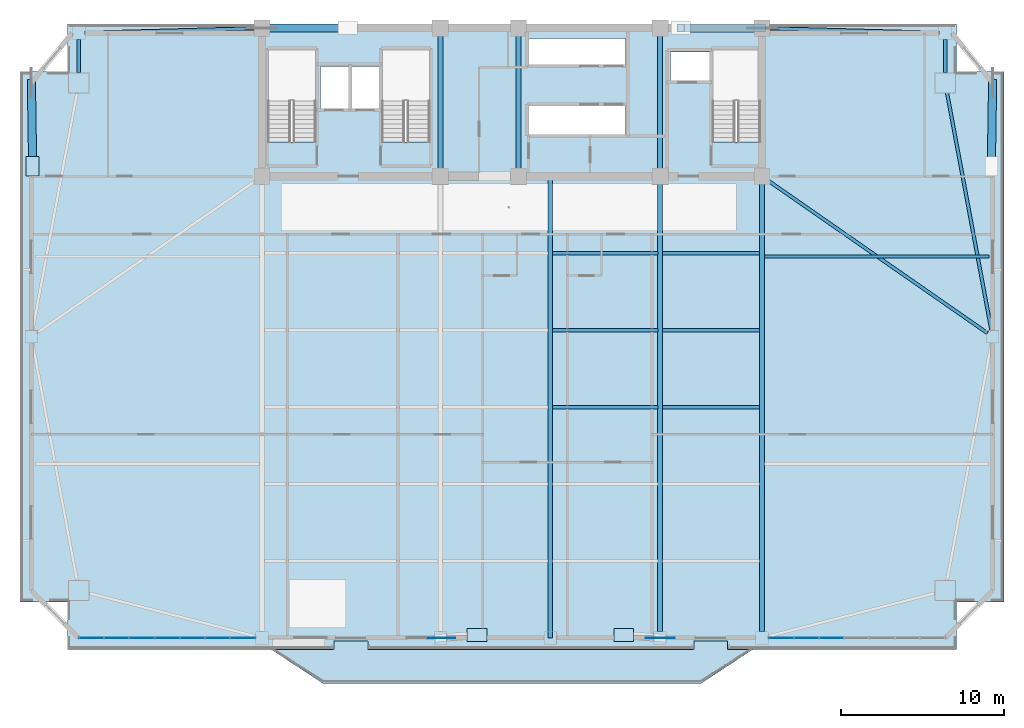
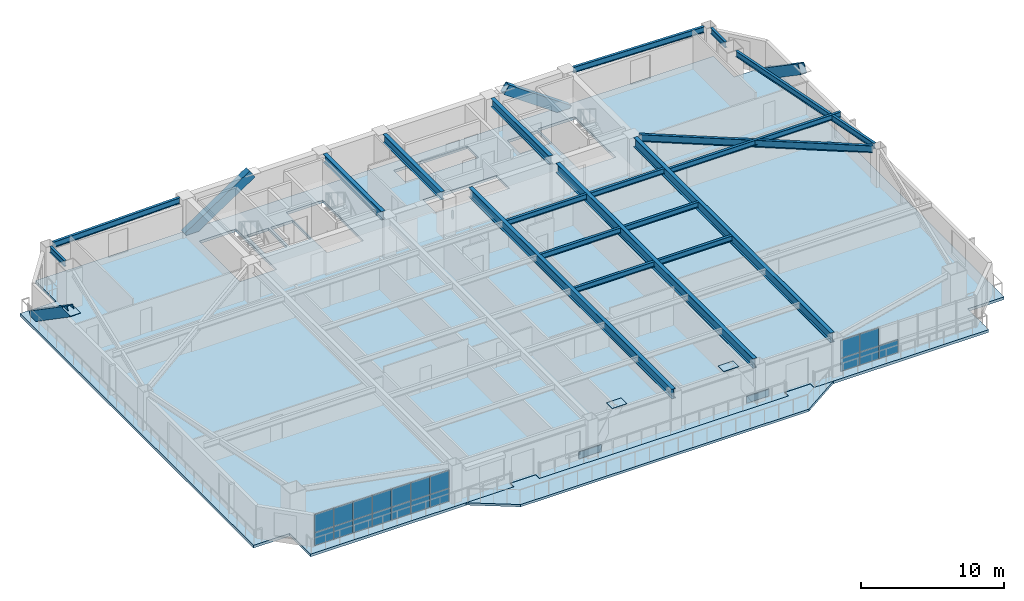
# One storey, part 6 of 16: 24 plates, 19 beams, 4 members, 2 slabs, 2 elements without a shape of their own.
"""IFC4 building model written with IfcOpenShell, lengths in metres."""

from ifc_helpers import new_model, si_unit, direction, frame, origin, origin_2d, place, context, subcontext, project, spatial, polyline, rectangle, hollow_rectangle, i_section, outline, extrude, source, transform, mapped, material, layer, layer_set, material_profile, profile_set, type_object, element, aggregate, save


model = new_model("IFC4")

# Units and contexts
model_context = context("Model", 3, precision=1e-05, world=origin(), true_north=direction((0.0, 1.0)))
body_context = subcontext(model_context, "Body", "Model", "MODEL_VIEW")
ifc_project = project(units=[si_unit("LENGTHUNIT", "METRE"), si_unit("AREAUNIT", "SQUARE_METRE"), si_unit("VOLUMEUNIT", "CUBIC_METRE"), si_unit("PLANEANGLEUNIT", "RADIAN"), si_unit("MASSUNIT", "GRAM", prefix="KILO")], contexts=[model_context])

# Site, building, storey
site_placement = place(None, origin())
site = spatial("IfcSite", under=ifc_project, at=site_placement, CompositionType="ELEMENT")
building_placement = place(site_placement, origin())
building = spatial("IfcBuilding", under=site, at=building_placement, Name="Giltprow Tower", CompositionType="ELEMENT")
storey_placement = place(building_placement, frame((0.0, 0.0, 159.699951171875)))
storey = spatial("IfcBuildingStorey", under=building, at=storey_placement, Name="L39", CompositionType="ELEMENT", Elevation=159.699951171875)

# Beams
ifc_material_1 = material(Name="Structural steel Q355B", Category="steel")
ifc_material_profile_1 = material_profile(ifc_material_1, i_section(OverallWidth=0.199951171875, OverallDepth=0.449951171875, WebThickness=0.009033203125, FlangeThickness=0.013916015625, at=origin_2d()), Name="HN 450x200x9x14")
ifc_profile_set_1 = profile_set([ifc_material_profile_1], Name="Structural steel Q355B")
beam_type_1 = type_object("IfcBeamType", Name="BM-JOIST-HN450", PredefinedType="JOIST", material=ifc_profile_set_1)
shared_shape_1 = source(origin(), body_context, "Body", "SweptSolid", [
    extrude(i_section(OverallWidth=0.199951171875, OverallDepth=0.449951171875, WebThickness=0.009033203125, FlangeThickness=0.013916015625, at=origin_2d()), origin(), (0.0, 0.0, 1.0), 6.4599609375),
])
for number, where, z_axis, x_axis, name in (
    (1, (37.695068359375, 23.27392578125, 3.045166015625), (1.0, 0.0, 0.0), (0.0, 1.0, 0.0), "L39 Composite Floor Joist 3-3"),
    (2, (37.695068359375, 27.9990234375, 3.045166015625), (1.0, 0.0, 0.0), (0.0, 1.0, 0.0), "L39 Composite Floor Joist 4-3"),
    (3, (37.695068359375, 32.72509765625, 3.045166015625), (1.0, 0.0, 0.0), (0.0, 1.0, 0.0), "L39 Composite Floor Joist 5-3"),
):
    element("IfcBeam", number, at=place(storey_placement, frame(where, z_axis=z_axis, x_axis=x_axis)), inside=storey, type_object=beam_type_1, Name=name, PredefinedType="JOIST", context=body_context, shape_type="MappedRepresentation", body=[
        mapped(shared_shape_1, transform((0.0, 0.0, 0.0), x_axis=(1.0, 0.0, 0.0), y_axis=(0.0, 1.0, 0.0), z_axis=(0.0, 0.0, 1.0), scale=1.0)),
    ])
shared_shape_2 = source(origin(), body_context, "Body", "SweptSolid", [
    extrude(i_section(OverallWidth=0.199951171875, OverallDepth=0.449951171875, WebThickness=0.009033203125, FlangeThickness=0.013916015625, at=origin_2d()), origin(), (0.0, 0.0, 1.0), 5.9599609375),
])
for number, where, z_axis, x_axis, name in (
    (4, (44.445068359375, 23.27392578125, 3.045166015625), (1.0, 0.0, 0.0), (0.0, 1.0, 0.0), "L39 Composite Floor Joist 3-4"),
    (5, (44.445068359375, 27.9990234375, 3.045166015625), (1.0, 0.0, 0.0), (0.0, 1.0, 0.0), "L39 Composite Floor Joist 4-4"),
    (6, (44.445068359375, 32.72509765625, 3.045166015625), (1.0, 0.0, 0.0), (0.0, 1.0, 0.0), "L39 Composite Floor Joist 5-4"),
):
    element("IfcBeam", number, at=place(storey_placement, frame(where, z_axis=z_axis, x_axis=x_axis)), inside=storey, type_object=beam_type_1, Name=name, PredefinedType="JOIST", context=body_context, shape_type="MappedRepresentation", body=[
        mapped(shared_shape_2, transform((0.0, 0.0, 0.0), x_axis=(1.0, 0.0, 0.0), y_axis=(0.0, 1.0, 0.0), z_axis=(0.0, 0.0, 1.0), scale=1.0)),
    ])
ifc_material_profile_2 = material_profile(ifc_material_1, i_section(OverallWidth=0.300048828125, OverallDepth=0.699951171875, WebThickness=0.012939453125, FlangeThickness=0.02392578125, at=origin_2d()), Name="HN 700x300x13x24")
ifc_profile_set_2 = profile_set([ifc_material_profile_2], Name="Structural steel Q355B")
beam_type_2 = type_object("IfcBeamType", Name="BM-GIRD-HN700", PredefinedType="BEAM", material=ifc_profile_set_2)
shared_shape_3 = source(origin(), body_context, "Body", "SweptSolid", [
    extrude(i_section(OverallWidth=0.300048828125, OverallDepth=0.699951171875, WebThickness=0.012939453125, FlangeThickness=0.02392578125, at=origin_2d()), origin(), (0.0, 0.0, 1.0), 8.1298828125),
])
for number, where, z_axis, x_axis, name in (
    (7, (30.800048828125, 37.93505859375, 2.920166015625), (0.0, 1.0, 0.0), (-1.0, 0.0, 0.0), "L39 Core Tie Girder M1"),
    (8, (35.60009765625, 37.93505859375, 2.920166015625), (0.0, 1.0, 0.0), (-1.0, 0.0, 0.0), "L39 Core Tie Girder M2"),
    (9, (44.300048828125, 37.93505859375, 2.920166015625), (0.0, 1.0, 0.0), (-1.0, 0.0, 0.0), "L39 Core Tie Girder M3"),
):
    element("IfcBeam", number, at=place(storey_placement, frame(where, z_axis=z_axis, x_axis=x_axis)), inside=storey, type_object=beam_type_2, Name=name, PredefinedType="BEAM", context=body_context, shape_type="MappedRepresentation", body=[
        mapped(shared_shape_3, transform((0.0, 0.0, 0.0), x_axis=(1.0, 0.0, 0.0), y_axis=(0.0, 1.0, 0.0), z_axis=(0.0, 0.0, 1.0), scale=1.0)),
    ])
ifc_material_profile_3 = material_profile(ifc_material_1, i_section(OverallWidth=0.199951171875, OverallDepth=0.5, WebThickness=0.010009765625, FlangeThickness=0.01611328125, at=origin_2d()), Name="HN 500x200x10x16")
ifc_profile_set_3 = profile_set([ifc_material_profile_3], Name="Structural steel Q355B")
beam_type_3 = type_object("IfcBeamType", Name="BM-SPAN-HN500", PredefinedType="SPANDREL", material=ifc_profile_set_3)
shared_shape_4 = source(origin(), body_context, "Body", "SweptSolid", [
    extrude(i_section(OverallWidth=0.199951171875, OverallDepth=0.5, WebThickness=0.010009765625, FlangeThickness=0.01611328125, at=origin_2d()), origin(), (0.0, 0.0, 1.0), 14.83837890625),
])
beam_1_placement = place(storey_placement, frame((64.64501953125, 27.97705078125, 3.02001953125), z_axis=(-0.183652712761, 0.982991190752, 0.0), x_axis=(-0.982991190752, -0.183652712761, 0.0)))
element("IfcBeam", 10, at=beam_1_placement, inside=storey, type_object=beam_type_3, Name="L39 Perimeter Spandrel Beam E_MID-MC_NE", PredefinedType="SPANDREL", context=body_context, shape_type="MappedRepresentation", body=[
    mapped(shared_shape_4, transform((0.0, 0.0, 0.0), x_axis=(1.0, 0.0, 0.0), y_axis=(0.0, 1.0, 0.0), z_axis=(0.0, 0.0, 1.0), scale=1.0)),
])
shared_shape_5 = source(origin(), body_context, "Body", "SweptSolid", [
    extrude(i_section(OverallWidth=0.199951171875, OverallDepth=0.5, WebThickness=0.010009765625, FlangeThickness=0.01611328125, at=origin_2d()), origin(), (0.0, 0.0, 1.0), 2.04296875),
])
for number, where, z_axis, x_axis, name in (
    (11, (61.802978515625, 43.822021484375, 3.02001953125), (0.0, 1.0, 0.0), (-1.0, 0.0, 0.0), "L39 Perimeter Spandrel Beam MC_NE-N_E"),
    (12, (8.596923828125, 45.864990234375, 3.02001953125), (0.0, -1.0, 0.0), (1.0, 0.0, 0.0), "L39 Perimeter Spandrel Beam N_W-MC_NW"),
):
    element("IfcBeam", number, at=place(storey_placement, frame(where, z_axis=z_axis, x_axis=x_axis)), inside=storey, type_object=beam_type_3, Name=name, PredefinedType="SPANDREL", context=body_context, shape_type="MappedRepresentation", body=[
        mapped(shared_shape_5, transform((0.0, 0.0, 0.0), x_axis=(1.0, 0.0, 0.0), y_axis=(0.0, 1.0, 0.0), z_axis=(0.0, 0.0, 1.0), scale=1.0)),
    ])
shared_shape_6 = source(origin(), body_context, "Body", "SweptSolid", [
    extrude(i_section(OverallWidth=0.199951171875, OverallDepth=0.5, WebThickness=0.010009765625, FlangeThickness=0.01611328125, at=origin_2d()), origin(), (0.0, 0.0, 1.0), 10.38671875),
])
for number, where, z_axis, x_axis, name in (
    (13, (8.98193359375, 46.260009765625, 3.02001953125), (0.999644074198, 0.02667817311, 0.0), (-0.02667817311, 0.999644074198, 0.0), "L39 North Wing Spandrel W"),
    (14, (51.034912109375, 46.537109375, 3.02001953125), (0.999644074198, -0.02667817311, 0.0), (0.02667817311, 0.999644074198, 0.0), "L39 North Wing Spandrel E"),
):
    element("IfcBeam", number, at=place(storey_placement, frame(where, z_axis=z_axis, x_axis=x_axis)), inside=storey, type_object=beam_type_3, Name=name, PredefinedType="SPANDREL", context=body_context, shape_type="MappedRepresentation", body=[
        mapped(shared_shape_6, transform((0.0, 0.0, 0.0), x_axis=(1.0, 0.0, 0.0), y_axis=(0.0, 1.0, 0.0), z_axis=(0.0, 0.0, 1.0), scale=1.0)),
    ])
ifc_material_profile_4 = material_profile(ifc_material_1, i_section(OverallWidth=0.300048828125, OverallDepth=0.800048828125, WebThickness=0.013916015625, FlangeThickness=0.02587890625, at=origin_2d()), Name="HN 800x300x14x26")
ifc_profile_set_4 = profile_set([ifc_material_profile_4], Name="Structural steel Q355B")
beam_type_4 = type_object("IfcBeamType", Name="BM-GIRD-HN800", PredefinedType="BEAM", material=ifc_profile_set_4)
shared_shape_7 = source(origin(), body_context, "Body", "SweptSolid", [
    extrude(i_section(OverallWidth=0.300048828125, OverallDepth=0.800048828125, WebThickness=0.013916015625, FlangeThickness=0.02587890625, at=origin_2d()), origin(), (0.0, 0.0, 1.0), 27.482177734375),
])
for number, where, z_axis, x_axis, name in (
    (15, (44.300048828125, 9.48291015625, 2.8701171875), (0.0, 1.0, 0.0), (-1.0, 0.0, 0.0), "L39 Primary Lease Girder S3"),
    (16, (50.550048828125, 9.48291015625, 2.8701171875), (0.0, 1.0, 0.0), (-1.0, 0.0, 0.0), "L39 Primary Lease Girder S4"),
):
    element("IfcBeam", number, at=place(storey_placement, frame(where, z_axis=z_axis, x_axis=x_axis)), inside=storey, type_object=beam_type_4, Name=name, PredefinedType="BEAM", context=body_context, shape_type="MappedRepresentation", body=[
        mapped(shared_shape_7, transform((0.0, 0.0, 0.0), x_axis=(1.0, 0.0, 0.0), y_axis=(0.0, 1.0, 0.0), z_axis=(0.0, 0.0, 1.0), scale=1.0)),
    ])
shared_shape_8 = source(origin(), body_context, "Body", "SweptSolid", [
    extrude(i_section(OverallWidth=0.300048828125, OverallDepth=0.800048828125, WebThickness=0.013916015625, FlangeThickness=0.02587890625, at=origin_2d()), origin(), (0.0, 0.0, 1.0), 28.35205078125),
])
beam_2_placement = place(storey_placement, frame((37.550048828125, 9.097900390625, 2.8701171875), z_axis=(0.0, 1.0, 0.0), x_axis=(-1.0, 0.0, 0.0)))
element("IfcBeam", 17, at=beam_2_placement, inside=storey, type_object=beam_type_4, Name="L39 Central Lease Girder SMID", PredefinedType="BEAM", context=body_context, shape_type="MappedRepresentation", body=[
    mapped(shared_shape_8, transform((0.0, 0.0, 0.0), x_axis=(1.0, 0.0, 0.0), y_axis=(0.0, 1.0, 0.0), z_axis=(0.0, 0.0, 1.0), scale=1.0)),
])
ifc_material_profile_5 = material_profile(ifc_material_1, i_section(OverallWidth=0.199951171875, OverallDepth=0.60009765625, WebThickness=0.010986328125, FlangeThickness=0.01708984375, at=origin_2d()), Name="HN 600x200x11x17")
ifc_profile_set_5 = profile_set([ifc_material_profile_5], Name="Structural steel Q355B")
beam_type_5 = type_object("IfcBeamType", Name="BM-GIRD-HN600", PredefinedType="BEAM", material=ifc_profile_set_5)
shared_shape_9 = source(origin(), body_context, "Body", "SweptSolid", [
    extrude(i_section(OverallWidth=0.199951171875, OverallDepth=0.60009765625, WebThickness=0.010986328125, FlangeThickness=0.01708984375, at=origin_2d()), origin(), (0.0, 0.0, 1.0), 16.384521484375),
])
beam_3_placement = place(storey_placement, frame((64.39990234375, 27.819091796875, 2.969970703125), z_axis=(-0.821015129257, 0.570906435005, 0.0), x_axis=(-0.570906435005, -0.821015129257, 0.0)))
element("IfcBeam", 18, at=beam_3_placement, inside=storey, type_object=beam_type_5, Name="L39 East Wing Primary Girder", PredefinedType="BEAM", context=body_context, shape_type="MappedRepresentation", body=[
    mapped(shared_shape_9, transform((0.0, 0.0, 0.0), x_axis=(1.0, 0.0, 0.0), y_axis=(0.0, 1.0, 0.0), z_axis=(0.0, 0.0, 1.0), scale=1.0)),
])
shared_shape_10 = source(origin(), body_context, "Body", "SweptSolid", [
    extrude(i_section(OverallWidth=0.199951171875, OverallDepth=0.449951171875, WebThickness=0.009033203125, FlangeThickness=0.013916015625, at=origin_2d()), origin(), (0.0, 0.0, 1.0), 13.801025390625),
])
beam_4_placement = place(storey_placement, frame((50.695068359375, 32.52490234375, 3.045166015625), z_axis=(1.0, 0.0, 0.0), x_axis=(0.0, 1.0, 0.0)))
element("IfcBeam", 19, at=beam_4_placement, inside=storey, type_object=beam_type_1, Name="L39 East Wing Floor Joist 2", PredefinedType="JOIST", context=body_context, shape_type="MappedRepresentation", body=[
    mapped(shared_shape_10, transform((0.0, 0.0, 0.0), x_axis=(1.0, 0.0, 0.0), y_axis=(0.0, 1.0, 0.0), z_axis=(0.0, 0.0, 1.0), scale=1.0)),
])

# Members
ifc_material_2 = material(Name="Structural steel Q420GJC", Category="steel")
ifc_material_profile_6 = material_profile(ifc_material_2, hollow_rectangle(XDim=0.5, YDim=0.800048828125, WallThickness=0.035888671875, at=origin_2d()), Name="RHS 800x500x36")
ifc_profile_set_6 = profile_set([ifc_material_profile_6], Name="Structural steel Q420GJC")
member_type = type_object("IfcMemberType", Name="MBR-MEGA-RHS800", PredefinedType="BRACE", material=ifc_profile_set_6)
shared_shape_11 = source(origin(), body_context, "Body", "SweptSolid", [
    extrude(hollow_rectangle(XDim=0.5, YDim=0.800048828125, WallThickness=0.035888671875, at=origin_2d()), origin(), (0.0, 0.0, 1.0), 6.309814453125),
])
member_1_placement = place(storey_placement, frame((19.85009765625, 46.550048828125, -0.139892578125), z_axis=(0.832050294338, 0.0, 0.554700196225), x_axis=(0.0, 1.0, 0.0)))
element("IfcMember", 20, at=member_1_placement, inside=storey, type_object=member_type, Name="L39 Chevron Mega-Brace N-L", PredefinedType="BRACE", context=body_context, shape_type="MappedRepresentation", body=[
    mapped(shared_shape_11, transform((0.0, 0.0, 0.0), x_axis=(1.0, 0.0, 0.0), y_axis=(0.0, 1.0, 0.0), z_axis=(0.0, 0.0, 1.0), scale=1.0)),
])
shared_shape_12 = source(origin(), body_context, "Body", "SweptSolid", [
    extrude(hollow_rectangle(XDim=0.5, YDim=0.800048828125, WallThickness=0.035888671875, at=origin_2d()), origin(), (0.0, 0.0, 1.0), 6.089599609375),
])
member_2_placement = place(storey_placement, frame((50.550048828125, 46.550048828125, -0.139892578125), z_axis=(-0.818321147337, 0.0, 0.574761254628), x_axis=(0.0, -1.0, 0.0)))
element("IfcMember", 21, at=member_2_placement, inside=storey, type_object=member_type, Name="L39 Chevron Mega-Brace N-R", PredefinedType="BRACE", context=body_context, shape_type="MappedRepresentation", body=[
    mapped(shared_shape_12, transform((0.0, 0.0, 0.0), x_axis=(1.0, 0.0, 0.0), y_axis=(0.0, 1.0, 0.0), z_axis=(0.0, 0.0, 1.0), scale=1.0)),
])
shared_shape_13 = source(origin(), body_context, "Body", "SweptSolid", [
    extrude(hollow_rectangle(XDim=0.5, YDim=0.800048828125, WallThickness=0.035888671875, at=origin_2d()), origin(), (0.0, 0.0, 1.0), 6.1923828125),
])
for number, where, z_axis, x_axis, name in (
    (22, (5.68408203125, 43.18701171875, 0.0), (0.012576682732, -0.824856915749, 0.565201641534), (0.999883783107, 0.015245336335, 0.0), "L39 Chevron Mega-Brace W-R"),
    (23, (64.716064453125, 43.18701171875, 0.0), (-0.012616101805, -0.824856506111, 0.565201360845), (0.99988305346, -0.015293116199, 0.0), "L39 Chevron Mega-Brace E-R"),
):
    element("IfcMember", number, at=place(storey_placement, frame(where, z_axis=z_axis, x_axis=x_axis)), inside=storey, type_object=member_type, Name=name, PredefinedType="BRACE", context=body_context, shape_type="MappedRepresentation", body=[
        mapped(shared_shape_13, transform((0.0, 0.0, 0.0), x_axis=(1.0, 0.0, 0.0), y_axis=(0.0, 1.0, 0.0), z_axis=(0.0, 0.0, 1.0), scale=1.0)),
    ])

# Slabs
ifc_material_3 = material(Name="Concrete C40", Category="concrete")
ifc_layer_1 = layer(ifc_material_3, 0.199951171875, Name="Concrete C40")
ifc_layer_set_1 = layer_set([ifc_layer_1], Name="Concrete C40")
slab_type_1 = type_object("IfcSlabType", Name="SLB-BALC-BRONZE-200", PredefinedType="FLOOR", material=ifc_layer_set_1)
slab_1_placement = place(storey_placement, frame((0.0, 0.0, -0.199951171875)))
element("IfcSlab", 24, at=slab_1_placement, inside=storey, type_object=slab_type_1, Name="L39 Bronze Prow Waterfront Balcony Slab", PredefinedType="FLOOR", context=body_context, shape_type="SweptSolid", body=[
    extrude(outline(polyline([(50.0, 8.39794921875), (46.800048828125, 6.298095703125), (23.60009765625, 6.298095703125), (20.39990234375, 8.39794921875), (24.280029296875, 8.39794921875), (24.280029296875, 8.89794921875), (26.320068359375, 8.89794921875), (26.320068359375, 8.39794921875), (46.3798828125, 8.39794921875), (46.3798828125, 8.89794921875), (48.419921875, 8.89794921875), (48.419921875, 8.39794921875), (50.0, 8.39794921875)])), origin(), (0.0, 0.0, 1.0), 0.199951171875),
])
ifc_layer_2 = layer(ifc_material_3, 0.22998046875, Name="Concrete C40")
ifc_layer_set_2 = layer_set([ifc_layer_2], Name="Concrete C40")
slab_type_2 = type_object("IfcSlabType", Name="SLB-HTL-230", PredefinedType="FLOOR", material=ifc_layer_set_2)
slab_2_placement = place(storey_placement, frame((0.0, 0.0, -0.22998046875)))
element("IfcSlab", 25, at=slab_2_placement, inside=storey, type_object=slab_type_2, Name="L39 Structural Composite Floor Slab", PredefinedType="FLOOR", context=body_context, shape_type="SweptSolid", body=[
    extrude(outline(polyline([(7.89697265625, 8.39794921875), (7.89697265625, 11.31103515625), (4.98388671875, 11.31103515625), (4.98388671875, 43.886962890625), (7.89697265625, 43.886962890625), (7.89697265625, 46.800048828125), (62.5029296875, 46.800048828125), (62.5029296875, 43.886962890625), (65.416015625, 43.886962890625), (65.416015625, 11.31103515625), (62.5029296875, 11.31103515625), (62.5029296875, 8.39794921875), (48.449951171875, 8.39794921875), (48.449951171875, 8.91796875), (46.35009765625, 8.91796875), (46.35009765625, 8.39794921875), (26.35009765625, 8.39794921875), (26.35009765625, 8.91796875), (24.25, 8.91796875), (24.25, 8.39794921875), (7.89697265625, 8.39794921875)]), holes=[polyline([(42.169921875, 41.800048828125), (36.239990234375, 41.800048828125), (36.239990234375, 40.0), (42.169921875, 40.0), (42.169921875, 41.800048828125)]), polyline([(23.159912109375, 39.570068359375), (23.159912109375, 45.25), (20.199951171875, 45.25), (20.199951171875, 39.570068359375), (23.159912109375, 39.570068359375)]), polyline([(30.159912109375, 39.570068359375), (30.159912109375, 45.25), (27.199951171875, 45.25), (27.199951171875, 39.570068359375), (30.159912109375, 39.570068359375)]), polyline([(50.4599609375, 45.25), (47.5, 45.25), (47.5, 39.570068359375), (50.4599609375, 39.570068359375), (50.4599609375, 45.25)]), polyline([(25.169921875, 44.199951171875), (23.449951171875, 44.199951171875), (23.449951171875, 41.60009765625), (25.169921875, 41.60009765625), (25.169921875, 44.199951171875)]), polyline([(27.10009765625, 44.199951171875), (25.35009765625, 44.199951171875), (25.35009765625, 41.60009765625), (27.10009765625, 41.60009765625), (27.10009765625, 44.199951171875)]), polyline([(47.3798828125, 43.300048828125), (47.3798828125, 45.10009765625), (44.919921875, 45.10009765625), (44.919921875, 43.300048828125), (47.3798828125, 43.300048828125)]), polyline([(42.169921875, 44.300048828125), (42.169921875, 45.919921875), (36.239990234375, 45.919921875), (36.239990234375, 44.300048828125), (42.169921875, 44.300048828125)])]), origin(), (0.0, 0.0, 1.0), 0.22998046875),
])

# Plates
plate_type_1 = type_object("IfcPlateType", Name="PLT-NODE-MBN1", PredefinedType="USERDEFINED", material=ifc_material_2)
shared_shape_14 = source(origin(), body_context, "Body", "SweptSolid", [
    extrude(rectangle(XDim=1.800048828125, YDim=0.050048828125, at=origin_2d()), origin(), (0.0, 0.0, 1.0), 1.14990234375),
])
for number, where, z_axis, x_axis, name in (
    (26, (30.800048828125, 9.097900390625, -0.574951171875), (0.0, 0.0, 1.0), (1.0, 0.0, 0.0), "Mega-Brace Node L39-S-LA"),
    (27, (44.300048828125, 9.097900390625, -0.574951171875), (0.0, 0.0, 1.0), (1.0, 0.0, 0.0), "Mega-Brace Node L39-S-RA"),
):
    element("IfcPlate", number, at=place(storey_placement, frame(where, z_axis=z_axis, x_axis=x_axis)), inside=storey, type_object=plate_type_1, Name=name, ObjectType="GUSSET", PredefinedType="USERDEFINED", context=body_context, shape_type="MappedRepresentation", body=[
        mapped(shared_shape_14, transform((0.0, 0.0, 0.0), x_axis=(1.0, 0.0, 0.0), y_axis=(0.0, 1.0, 0.0), z_axis=(0.0, 0.0, 1.0), scale=1.0)),
    ])
plate_type_2 = type_object("IfcPlateType", Name="PLT-CAP-SEAL", PredefinedType="USERDEFINED", material=ifc_material_2)
shared_shape_15 = source(origin(), body_context, "Body", "SweptSolid", [
    extrude(rectangle(XDim=1.199951171875, YDim=0.800048828125, at=origin_2d()), origin(), (0.0, 0.0, 1.0), 0.034912109375),
])
for number, where, z_axis, x_axis, name in (
    (28, (33.050048828125, 9.27392578125, 3.482421875), (0.0, 0.0, 1.0), (1.0, 0.0, 0.0), "Mega-Brace Node L39-S-LB"),
    (29, (42.050048828125, 9.27392578125, 3.482421875), (0.0, 0.0, 1.0), (1.0, 0.0, 0.0), "Mega-Brace Node L39-S-RB"),
    (30, (5.761962890625, 38.0791015625, 3.482421875), (0.0, 0.0, 1.0), (0.0, 1.0, 0.0), "Mega-Brace Node L39-W-RB"),
):
    element("IfcPlate", number, at=place(storey_placement, frame(where, z_axis=z_axis, x_axis=x_axis)), inside=storey, type_object=plate_type_2, Name=name, ObjectType="SPLICE", PredefinedType="USERDEFINED", context=body_context, shape_type="MappedRepresentation", body=[
        mapped(shared_shape_15, transform((0.0, 0.0, 0.0), x_axis=(1.0, 0.0, 0.0), y_axis=(0.0, 1.0, 0.0), z_axis=(0.0, 0.0, 1.0), scale=1.0)),
    ])

# Curtain wall, plates
ifc_material_4 = material(Name="Anodized bronze", Category="metal")
ifc_layer_3 = layer(ifc_material_4, 0.179931640625, Name="Anodized bronze")
ifc_layer_set_3 = layer_set([ifc_layer_3], Name="Anodized bronze")
curtain_wall_type = type_object("IfcCurtainWallType", Name="CW-HTL-BRONZE", PredefinedType="NOTDEFINED", material=ifc_layer_set_3)
curtain_wall_1_placement = place(storey_placement, origin())
curtain_wall_1 = element("IfcCurtainWall", 31, at=curtain_wall_1_placement, inside=storey, type_object=curtain_wall_type, Name="L39 South Recessed Curtain Wall 1", PredefinedType="NOTDEFINED")
ifc_material_5 = material(Name="Insulated glass", Category="glass")
plate_type_3 = type_object("IfcPlateType", Name="CW-PANEL-IGU-28", PredefinedType="CURTAIN_PANEL", material=ifc_material_5)
shared_shape_16 = source(origin(), body_context, "Body", "SweptSolid", [
    extrude(rectangle(XDim=1.52001953125, YDim=0.028076171875, at=origin_2d()), origin(), (0.0, 0.0, 1.0), 1.0869140625),
])
plate_1_placement = place(storey_placement, frame((9.3720703125, 9.097900390625, 0.0546875), z_axis=(0.0, 0.0, 1.0), x_axis=(1.0, 0.0, 0.0)))
plate_1 = element("IfcPlate", 32, at=plate_1_placement, type_object=plate_type_3, Name="L39 South Recessed Curtain Wall 1 Glazing Panel 1-1", PredefinedType="CURTAIN_PANEL", context=body_context, shape_type="MappedRepresentation", body=[
    mapped(shared_shape_16, transform((0.0, 0.0, 0.0), x_axis=(1.0, 0.0, 0.0), y_axis=(0.0, 1.0, 0.0), z_axis=(0.0, 0.0, 1.0), scale=1.0)),
])
plate_2_placement = place(storey_placement, frame((10.923095703125, 9.097900390625, 0.0546875), z_axis=(0.0, 0.0, 1.0), x_axis=(1.0, 0.0, 0.0)))
plate_2 = element("IfcPlate", 33, at=plate_2_placement, type_object=plate_type_3, Name="L39 South Recessed Curtain Wall 1 Glazing Panel 2-1", PredefinedType="CURTAIN_PANEL", context=body_context, shape_type="MappedRepresentation", body=[
    mapped(shared_shape_16, transform((0.0, 0.0, 0.0), x_axis=(1.0, 0.0, 0.0), y_axis=(0.0, 1.0, 0.0), z_axis=(0.0, 0.0, 1.0), scale=1.0)),
])
plate_3_placement = place(storey_placement, frame((12.472900390625, 9.097900390625, 0.0546875), z_axis=(0.0, 0.0, 1.0), x_axis=(1.0, 0.0, 0.0)))
plate_3 = element("IfcPlate", 34, at=plate_3_placement, type_object=plate_type_3, Name="L39 South Recessed Curtain Wall 1 Glazing Panel 3-1", PredefinedType="CURTAIN_PANEL", context=body_context, shape_type="MappedRepresentation", body=[
    mapped(shared_shape_16, transform((0.0, 0.0, 0.0), x_axis=(1.0, 0.0, 0.0), y_axis=(0.0, 1.0, 0.0), z_axis=(0.0, 0.0, 1.0), scale=1.0)),
])
plate_4_placement = place(storey_placement, frame((14.02294921875, 9.097900390625, 0.0546875), z_axis=(0.0, 0.0, 1.0), x_axis=(1.0, 0.0, 0.0)))
plate_4 = element("IfcPlate", 35, at=plate_4_placement, type_object=plate_type_3, Name="L39 South Recessed Curtain Wall 1 Glazing Panel 4-1", PredefinedType="CURTAIN_PANEL", context=body_context, shape_type="MappedRepresentation", body=[
    mapped(shared_shape_16, transform((0.0, 0.0, 0.0), x_axis=(1.0, 0.0, 0.0), y_axis=(0.0, 1.0, 0.0), z_axis=(0.0, 0.0, 1.0), scale=1.0)),
])
plate_5_placement = place(storey_placement, frame((15.573974609375, 9.097900390625, 0.0546875), z_axis=(0.0, 0.0, 1.0), x_axis=(1.0, 0.0, 0.0)))
plate_5 = element("IfcPlate", 36, at=plate_5_placement, type_object=plate_type_3, Name="L39 South Recessed Curtain Wall 1 Glazing Panel 5-1", PredefinedType="CURTAIN_PANEL", context=body_context, shape_type="MappedRepresentation", body=[
    mapped(shared_shape_16, transform((0.0, 0.0, 0.0), x_axis=(1.0, 0.0, 0.0), y_axis=(0.0, 1.0, 0.0), z_axis=(0.0, 0.0, 1.0), scale=1.0)),
])
plate_6_placement = place(storey_placement, frame((17.1240234375, 9.097900390625, 0.0546875), z_axis=(0.0, 0.0, 1.0), x_axis=(1.0, 0.0, 0.0)))
plate_6 = element("IfcPlate", 37, at=plate_6_placement, type_object=plate_type_3, Name="L39 South Recessed Curtain Wall 1 Glazing Panel 6-1", PredefinedType="CURTAIN_PANEL", context=body_context, shape_type="MappedRepresentation", body=[
    mapped(shared_shape_16, transform((0.0, 0.0, 0.0), x_axis=(1.0, 0.0, 0.0), y_axis=(0.0, 1.0, 0.0), z_axis=(0.0, 0.0, 1.0), scale=1.0)),
])
plate_7_placement = place(storey_placement, frame((18.675048828125, 9.097900390625, 0.0546875), z_axis=(0.0, 0.0, 1.0), x_axis=(1.0, 0.0, 0.0)))
plate_7 = element("IfcPlate", 38, at=plate_7_placement, type_object=plate_type_3, Name="L39 South Recessed Curtain Wall 1 Glazing Panel 7-1", PredefinedType="CURTAIN_PANEL", context=body_context, shape_type="MappedRepresentation", body=[
    mapped(shared_shape_16, transform((0.0, 0.0, 0.0), x_axis=(1.0, 0.0, 0.0), y_axis=(0.0, 1.0, 0.0), z_axis=(0.0, 0.0, 1.0), scale=1.0)),
])

curtain_wall_2_placement = place(storey_placement, origin())
curtain_wall_2 = element("IfcCurtainWall", 39, at=curtain_wall_2_placement, inside=storey, type_object=curtain_wall_type, Name="L39 South Recessed Curtain Wall 6", PredefinedType="NOTDEFINED")
plate_8_placement = place(storey_placement, frame((51.72509765625, 9.097900390625, 0.0546875), z_axis=(0.0, 0.0, 1.0), x_axis=(1.0, 0.0, 0.0)))
plate_8 = element("IfcPlate", 40, at=plate_8_placement, type_object=plate_type_3, Name="L39 South Recessed Curtain Wall 6 Glazing Panel 1-1", PredefinedType="CURTAIN_PANEL", context=body_context, shape_type="MappedRepresentation", body=[
    mapped(shared_shape_16, transform((0.0, 0.0, 0.0), x_axis=(1.0, 0.0, 0.0), y_axis=(0.0, 1.0, 0.0), z_axis=(0.0, 0.0, 1.0), scale=1.0)),
])
plate_9_placement = place(storey_placement, frame((53.27587890625, 9.097900390625, 0.0546875), z_axis=(0.0, 0.0, 1.0), x_axis=(1.0, 0.0, 0.0)))
plate_9 = element("IfcPlate", 41, at=plate_9_placement, type_object=plate_type_3, Name="L39 South Recessed Curtain Wall 6 Glazing Panel 2-1", PredefinedType="CURTAIN_PANEL", context=body_context, shape_type="MappedRepresentation", body=[
    mapped(shared_shape_16, transform((0.0, 0.0, 0.0), x_axis=(1.0, 0.0, 0.0), y_axis=(0.0, 1.0, 0.0), z_axis=(0.0, 0.0, 1.0), scale=1.0)),
])
plate_10_placement = place(storey_placement, frame((54.825927734375, 9.097900390625, 0.0546875), z_axis=(0.0, 0.0, 1.0), x_axis=(1.0, 0.0, 0.0)))
plate_10 = element("IfcPlate", 42, at=plate_10_placement, type_object=plate_type_3, Name="L39 South Recessed Curtain Wall 6 Glazing Panel 3-1", PredefinedType="CURTAIN_PANEL", context=body_context, shape_type="MappedRepresentation", body=[
    mapped(shared_shape_16, transform((0.0, 0.0, 0.0), x_axis=(1.0, 0.0, 0.0), y_axis=(0.0, 1.0, 0.0), z_axis=(0.0, 0.0, 1.0), scale=1.0)),
])

# Plate
shared_shape_17 = source(origin(), body_context, "Body", "SweptSolid", [
    extrude(rectangle(XDim=1.52001953125, YDim=0.028076171875, at=origin_2d()), origin(), (0.0, 0.0, 1.0), 1.527099609375),
])
plate_11_placement = place(storey_placement, frame((9.3720703125, 9.097900390625, 1.16845703125), z_axis=(0.0, 0.0, 1.0), x_axis=(1.0, 0.0, 0.0)))
plate_11 = element("IfcPlate", 43, at=plate_11_placement, type_object=plate_type_3, Name="L39 South Recessed Curtain Wall 1 Glazing Panel 1-2", PredefinedType="CURTAIN_PANEL", context=body_context, shape_type="MappedRepresentation", body=[
    mapped(shared_shape_17, transform((0.0, 0.0, 0.0), x_axis=(1.0, 0.0, 0.0), y_axis=(0.0, 1.0, 0.0), z_axis=(0.0, 0.0, 1.0), scale=1.0)),
])

plate_12_placement = place(storey_placement, frame((10.923095703125, 9.097900390625, 1.16845703125), z_axis=(0.0, 0.0, 1.0), x_axis=(1.0, 0.0, 0.0)))
plate_12 = element("IfcPlate", 44, at=plate_12_placement, type_object=plate_type_3, Name="L39 South Recessed Curtain Wall 1 Glazing Panel 2-2", PredefinedType="CURTAIN_PANEL", context=body_context, shape_type="MappedRepresentation", body=[
    mapped(shared_shape_17, transform((0.0, 0.0, 0.0), x_axis=(1.0, 0.0, 0.0), y_axis=(0.0, 1.0, 0.0), z_axis=(0.0, 0.0, 1.0), scale=1.0)),
])

plate_13_placement = place(storey_placement, frame((12.472900390625, 9.097900390625, 1.16845703125), z_axis=(0.0, 0.0, 1.0), x_axis=(1.0, 0.0, 0.0)))
plate_13 = element("IfcPlate", 45, at=plate_13_placement, type_object=plate_type_3, Name="L39 South Recessed Curtain Wall 1 Glazing Panel 3-2", PredefinedType="CURTAIN_PANEL", context=body_context, shape_type="MappedRepresentation", body=[
    mapped(shared_shape_17, transform((0.0, 0.0, 0.0), x_axis=(1.0, 0.0, 0.0), y_axis=(0.0, 1.0, 0.0), z_axis=(0.0, 0.0, 1.0), scale=1.0)),
])

plate_14_placement = place(storey_placement, frame((14.02294921875, 9.097900390625, 1.16845703125), z_axis=(0.0, 0.0, 1.0), x_axis=(1.0, 0.0, 0.0)))
plate_14 = element("IfcPlate", 46, at=plate_14_placement, type_object=plate_type_3, Name="L39 South Recessed Curtain Wall 1 Glazing Panel 4-2", PredefinedType="CURTAIN_PANEL", context=body_context, shape_type="MappedRepresentation", body=[
    mapped(shared_shape_17, transform((0.0, 0.0, 0.0), x_axis=(1.0, 0.0, 0.0), y_axis=(0.0, 1.0, 0.0), z_axis=(0.0, 0.0, 1.0), scale=1.0)),
])

plate_15_placement = place(storey_placement, frame((15.573974609375, 9.097900390625, 1.16845703125), z_axis=(0.0, 0.0, 1.0), x_axis=(1.0, 0.0, 0.0)))
plate_15 = element("IfcPlate", 47, at=plate_15_placement, type_object=plate_type_3, Name="L39 South Recessed Curtain Wall 1 Glazing Panel 5-2", PredefinedType="CURTAIN_PANEL", context=body_context, shape_type="MappedRepresentation", body=[
    mapped(shared_shape_17, transform((0.0, 0.0, 0.0), x_axis=(1.0, 0.0, 0.0), y_axis=(0.0, 1.0, 0.0), z_axis=(0.0, 0.0, 1.0), scale=1.0)),
])

plate_16_placement = place(storey_placement, frame((17.1240234375, 9.097900390625, 1.16845703125), z_axis=(0.0, 0.0, 1.0), x_axis=(1.0, 0.0, 0.0)))
plate_16 = element("IfcPlate", 48, at=plate_16_placement, type_object=plate_type_3, Name="L39 South Recessed Curtain Wall 1 Glazing Panel 6-2", PredefinedType="CURTAIN_PANEL", context=body_context, shape_type="MappedRepresentation", body=[
    mapped(shared_shape_17, transform((0.0, 0.0, 0.0), x_axis=(1.0, 0.0, 0.0), y_axis=(0.0, 1.0, 0.0), z_axis=(0.0, 0.0, 1.0), scale=1.0)),
])

plate_17_placement = place(storey_placement, frame((18.675048828125, 9.097900390625, 1.16845703125), z_axis=(0.0, 0.0, 1.0), x_axis=(1.0, 0.0, 0.0)))
plate_17 = element("IfcPlate", 49, at=plate_17_placement, type_object=plate_type_3, Name="L39 South Recessed Curtain Wall 1 Glazing Panel 7-2", PredefinedType="CURTAIN_PANEL", context=body_context, shape_type="MappedRepresentation", body=[
    mapped(shared_shape_17, transform((0.0, 0.0, 0.0), x_axis=(1.0, 0.0, 0.0), y_axis=(0.0, 1.0, 0.0), z_axis=(0.0, 0.0, 1.0), scale=1.0)),
])

aggregate(curtain_wall_1, [plate_1, plate_11, plate_2, plate_12, plate_3, plate_13, plate_4, plate_14, plate_5, plate_15, plate_6, plate_16, plate_7, plate_17])

plate_18_placement = place(storey_placement, frame((51.72509765625, 9.097900390625, 1.16845703125), z_axis=(0.0, 0.0, 1.0), x_axis=(1.0, 0.0, 0.0)))
plate_18 = element("IfcPlate", 50, at=plate_18_placement, type_object=plate_type_3, Name="L39 South Recessed Curtain Wall 6 Glazing Panel 1-2", PredefinedType="CURTAIN_PANEL", context=body_context, shape_type="MappedRepresentation", body=[
    mapped(shared_shape_17, transform((0.0, 0.0, 0.0), x_axis=(1.0, 0.0, 0.0), y_axis=(0.0, 1.0, 0.0), z_axis=(0.0, 0.0, 1.0), scale=1.0)),
])

plate_19_placement = place(storey_placement, frame((53.27587890625, 9.097900390625, 1.16845703125), z_axis=(0.0, 0.0, 1.0), x_axis=(1.0, 0.0, 0.0)))
plate_19 = element("IfcPlate", 51, at=plate_19_placement, type_object=plate_type_3, Name="L39 South Recessed Curtain Wall 6 Glazing Panel 2-2", PredefinedType="CURTAIN_PANEL", context=body_context, shape_type="MappedRepresentation", body=[
    mapped(shared_shape_17, transform((0.0, 0.0, 0.0), x_axis=(1.0, 0.0, 0.0), y_axis=(0.0, 1.0, 0.0), z_axis=(0.0, 0.0, 1.0), scale=1.0)),
])

aggregate(curtain_wall_2, [plate_8, plate_18, plate_9, plate_19, plate_10])

save(model, "model.ifc")
